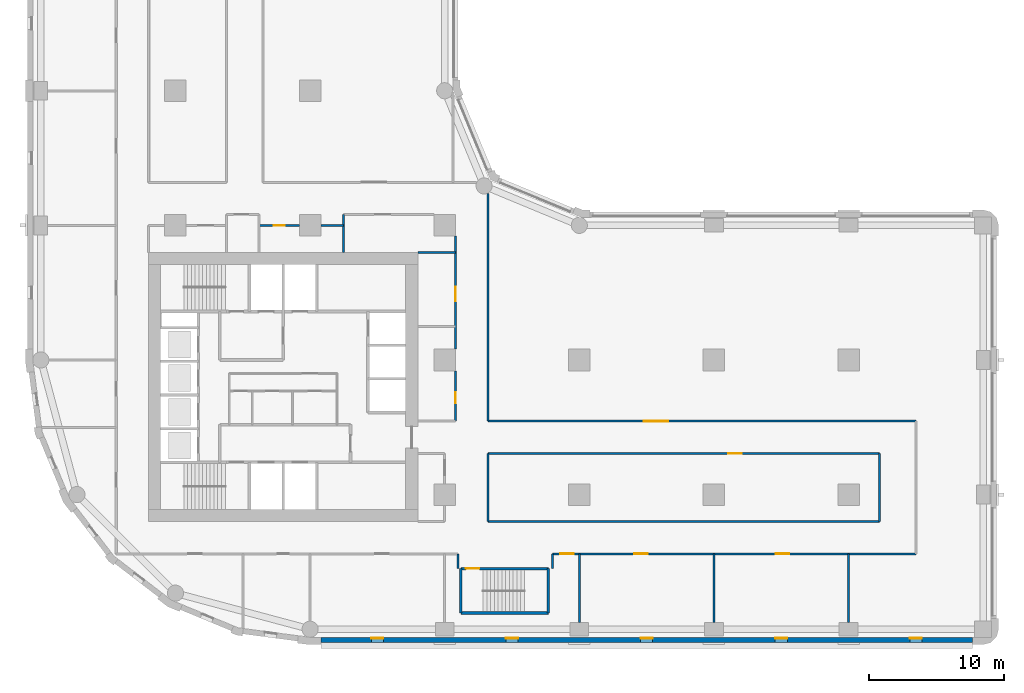
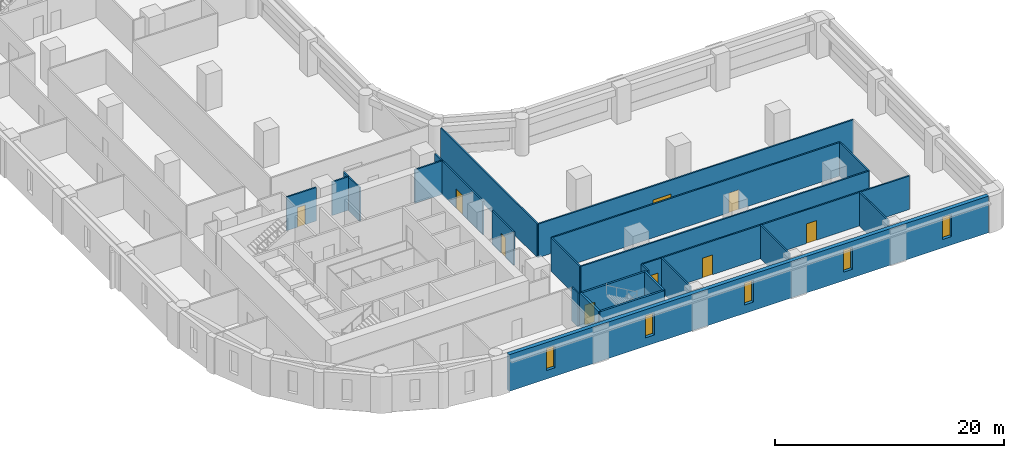
# One storey, part 4 of 10: 23 walls, 9 doors, 5 windows, 14 openings.
"""IFC4 building model written with IfcOpenShell, lengths in metres."""

from ifc_helpers import new_model, si_unit, direction, frame, frame_2d, origin, place, context, subcontext, project, spatial, rectangle, extrude, material, layer, layer_set, type_object, element, fill, save


model = new_model("IFC4")

# Units and contexts
model_context = context("Model", 3, precision=1e-05, world=origin(), true_north=direction((0.0, 1.0)))
body_context = subcontext(model_context, "Body", "Model", "MODEL_VIEW")
ifc_project = project(units=[si_unit("LENGTHUNIT", "METRE"), si_unit("AREAUNIT", "SQUARE_METRE"), si_unit("VOLUMEUNIT", "CUBIC_METRE"), si_unit("PLANEANGLEUNIT", "RADIAN"), si_unit("MASSUNIT", "GRAM", prefix="KILO")], contexts=[model_context])

# Site, building, storey
site_placement = place(None, origin())
site = spatial("IfcSite", under=ifc_project, at=site_placement, CompositionType="ELEMENT")
building_placement = place(site_placement, origin())
building = spatial("IfcBuilding", under=site, at=building_placement, Name="Qaws Garden Tower", CompositionType="ELEMENT")
storey_placement = place(building_placement, frame((0.0, 0.0, 54.89990234375)))
storey = spatial("IfcBuildingStorey", under=building, at=storey_placement, Name="L13", CompositionType="ELEMENT", Elevation=54.89990234375)

# Wall, openings, windows
ifc_material_1 = material(Name="Clay facing brick masonry", Category="masonry")
ifc_layer_1 = layer(ifc_material_1, 0.39990234375)
ifc_layer_set_1 = layer_set([ifc_layer_1], Name="Clay facing brick masonry")
wall_type_1 = type_object("IfcWallType", Name="Brick infill wall 400", PredefinedType="SOLIDWALL", material=ifc_layer_set_1)
wall_1_placement = place(storey_placement, frame((20.800048828125, -0.800048828125, 0.0), z_axis=(0.0, 0.0, 1.0), x_axis=(1.0, 0.0, 0.0)))
wall_1 = element("IfcWall", 1, at=wall_1_placement, inside=storey, type_object=wall_type_1, Name="E-L13-infill-00", PredefinedType="SOLIDWALL", context=body_context, shape_type="SweptSolid", body=[
    extrude(rectangle(XDim=48.39990234375, YDim=0.39990234375, at=frame_2d((24.199951171875, 0.0))), origin(), (0.0, 0.0, 1.0), 3.900146484375),
])
opening_1_placement = place(wall_1_placement, frame((3.75, 0.0, 0.89990234375)))
opening_1 = element("IfcOpeningElement", 2, at=opening_1_placement, cuts=wall_1, Name="Opening W09", PredefinedType="OPENING", context=body_context, shape_type="SweptSolid", body=[
    extrude(rectangle(XDim=0.89990234375, YDim=2.35009765625, at=frame_2d((0.449951171875, 1.175048828125))), frame((0.0, 0.2099609375, 0.0), z_axis=(0.0, -1.0, 0.0), x_axis=(1.0, 0.0, 0.0)), (0.0, 0.0, 1.0), 0.419921875),
])
opening_2_placement = place(wall_1_placement, frame((13.75, 0.0, 0.89990234375)))
opening_2 = element("IfcOpeningElement", 3, at=opening_2_placement, cuts=wall_1, Name="Opening W09", PredefinedType="OPENING", context=body_context, shape_type="SweptSolid", body=[
    extrude(rectangle(XDim=0.89990234375, YDim=2.35009765625, at=frame_2d((0.449951171875, 1.175048828125))), frame((0.0, 0.2099609375, 0.0), z_axis=(0.0, -1.0, 0.0), x_axis=(1.0, 0.0, 0.0)), (0.0, 0.0, 1.0), 0.419921875),
])
opening_3_placement = place(wall_1_placement, frame((23.75, 0.0, 0.89990234375)))
opening_3 = element("IfcOpeningElement", 4, at=opening_3_placement, cuts=wall_1, Name="Opening W09", PredefinedType="OPENING", context=body_context, shape_type="SweptSolid", body=[
    extrude(rectangle(XDim=0.89990234375, YDim=2.35009765625, at=frame_2d((0.449951171875, 1.175048828125))), frame((0.0, 0.2099609375, 0.0), z_axis=(0.0, -1.0, 0.0), x_axis=(1.0, 0.0, 0.0)), (0.0, 0.0, 1.0), 0.419921875),
])
opening_4_placement = place(wall_1_placement, frame((33.75, 0.0, 0.89990234375)))
opening_4 = element("IfcOpeningElement", 5, at=opening_4_placement, cuts=wall_1, Name="Opening W09", PredefinedType="OPENING", context=body_context, shape_type="SweptSolid", body=[
    extrude(rectangle(XDim=0.89990234375, YDim=2.35009765625, at=frame_2d((0.449951171875, 1.175048828125))), frame((0.0, 0.2099609375, 0.0), z_axis=(0.0, -1.0, 0.0), x_axis=(1.0, 0.0, 0.0)), (0.0, 0.0, 1.0), 0.419921875),
])
opening_5_placement = place(wall_1_placement, frame((43.75, 0.0, 0.89990234375)))
opening_5 = element("IfcOpeningElement", 6, at=opening_5_placement, cuts=wall_1, Name="Opening W09", PredefinedType="OPENING", context=body_context, shape_type="SweptSolid", body=[
    extrude(rectangle(XDim=0.89990234375, YDim=2.35009765625, at=frame_2d((0.449951171875, 1.175048828125))), frame((0.0, 0.2099609375, 0.0), z_axis=(0.0, -1.0, 0.0), x_axis=(1.0, 0.0, 0.0)), (0.0, 0.0, 1.0), 0.419921875),
])
ifc_material_2 = material(Name="Aluminium framed window, clear glazing", Category="aluminium")
window_type = type_object("IfcWindowType", Name="Slit window 900 x 2350", PartitioningType="SINGLE_PANEL", PredefinedType="WINDOW", material=ifc_material_2)
window_1_placement = place(opening_1_placement, origin())
window_1 = element("IfcWindow", 7, at=window_1_placement, inside=storey, type_object=window_type, Name="E-L13-window-00-0", OverallHeight=2.35009765625, OverallWidth=0.89990234375, PartitioningType="SINGLE_PANEL", PredefinedType="WINDOW", context=body_context, shape_type="SweptSolid", body=[
    extrude(rectangle(XDim=0.89990234375, YDim=2.35009765625, at=frame_2d((0.449951171875, 1.175048828125))), frame((0.0, 0.159912109375, 0.0), z_axis=(0.0, -1.0, 0.0), x_axis=(1.0, 0.0, 0.0)), (0.0, 0.0, 1.0), 0.06005859375),
])
fill(opening_1, window_1)
window_2_placement = place(opening_2_placement, origin())
window_2 = element("IfcWindow", 8, at=window_2_placement, inside=storey, type_object=window_type, Name="E-L13-window-01-0", OverallHeight=2.35009765625, OverallWidth=0.89990234375, PartitioningType="SINGLE_PANEL", PredefinedType="WINDOW", context=body_context, shape_type="SweptSolid", body=[
    extrude(rectangle(XDim=0.89990234375, YDim=2.35009765625, at=frame_2d((0.449951171875, 1.175048828125))), frame((0.0, 0.159912109375, 0.0), z_axis=(0.0, -1.0, 0.0), x_axis=(1.0, 0.0, 0.0)), (0.0, 0.0, 1.0), 0.06005859375),
])
fill(opening_2, window_2)
window_3_placement = place(opening_3_placement, origin())
window_3 = element("IfcWindow", 9, at=window_3_placement, inside=storey, type_object=window_type, Name="E-L13-window-02-0", OverallHeight=2.35009765625, OverallWidth=0.89990234375, PartitioningType="SINGLE_PANEL", PredefinedType="WINDOW", context=body_context, shape_type="SweptSolid", body=[
    extrude(rectangle(XDim=0.89990234375, YDim=2.35009765625, at=frame_2d((0.449951171875, 1.175048828125))), frame((0.0, 0.159912109375, 0.0), z_axis=(0.0, -1.0, 0.0), x_axis=(1.0, 0.0, 0.0)), (0.0, 0.0, 1.0), 0.06005859375),
])
fill(opening_3, window_3)
window_4_placement = place(opening_4_placement, origin())
window_4 = element("IfcWindow", 10, at=window_4_placement, inside=storey, type_object=window_type, Name="E-L13-window-03-0", OverallHeight=2.35009765625, OverallWidth=0.89990234375, PartitioningType="SINGLE_PANEL", PredefinedType="WINDOW", context=body_context, shape_type="SweptSolid", body=[
    extrude(rectangle(XDim=0.89990234375, YDim=2.35009765625, at=frame_2d((0.449951171875, 1.175048828125))), frame((0.0, 0.159912109375, 0.0), z_axis=(0.0, -1.0, 0.0), x_axis=(1.0, 0.0, 0.0)), (0.0, 0.0, 1.0), 0.06005859375),
])
fill(opening_4, window_4)
window_5_placement = place(opening_5_placement, origin())
window_5 = element("IfcWindow", 11, at=window_5_placement, inside=storey, type_object=window_type, Name="E-L13-window-04-0", OverallHeight=2.35009765625, OverallWidth=0.89990234375, PartitioningType="SINGLE_PANEL", PredefinedType="WINDOW", context=body_context, shape_type="SweptSolid", body=[
    extrude(rectangle(XDim=0.89990234375, YDim=2.35009765625, at=frame_2d((0.449951171875, 1.175048828125))), frame((0.0, 0.159912109375, 0.0), z_axis=(0.0, -1.0, 0.0), x_axis=(1.0, 0.0, 0.0)), (0.0, 0.0, 1.0), 0.06005859375),
])
fill(opening_5, window_5)

# Wall
ifc_material_3 = material(Name="Concrete C80", Category="concrete")
ifc_layer_2 = layer(ifc_material_3, 0.199951171875)
ifc_layer_set_2 = layer_set([ifc_layer_2], Name="Concrete C80")
wall_type_2 = type_object("IfcWallType", Name="Core shaft wall 200 C80", PredefinedType="SHEAR", material=ifc_layer_set_2)
wall_2_placement = place(storey_placement, frame((31.199951171875, 1.199951171875, 0.0), z_axis=(0.0, 0.0, 1.0), x_axis=(1.0, 0.0, 0.0)))
element("IfcWall", 12, at=wall_2_placement, inside=storey, type_object=wall_type_2, Name="Shaft wall", PredefinedType="SHEAR", context=body_context, shape_type="SweptSolid", body=[
    extrude(rectangle(XDim=6.5, YDim=0.199951171875, at=frame_2d((3.25, 0.0))), origin(), (0.0, 0.0, 1.0), 3.580078125),
])

# Wall, opening, door
wall_3_placement = place(storey_placement, frame((31.199951171875, 4.5, 0.0), z_axis=(0.0, 0.0, 1.0), x_axis=(1.0, 0.0, 0.0)))
wall_3 = element("IfcWall", 13, at=wall_3_placement, inside=storey, type_object=wall_type_2, Name="Shaft wall", PredefinedType="SHEAR", context=body_context, shape_type="SweptSolid", body=[
    extrude(rectangle(XDim=6.5, YDim=0.199951171875, at=frame_2d((3.25, 0.0))), origin(), (0.0, 0.0, 1.0), 3.580078125),
])
opening_6_placement = place(wall_3_placement, frame((0.375, 0.0, 0.0)))
opening_6 = element("IfcOpeningElement", 14, at=opening_6_placement, cuts=wall_3, Name="Opening SD12", PredefinedType="OPENING", context=body_context, shape_type="SweptSolid", body=[
    extrude(rectangle(XDim=1.0, YDim=2.10009765625, at=frame_2d((0.5, 1.050048828125))), frame((0.0, 0.10986328125, 0.0), z_axis=(0.0, -1.0, 0.0), x_axis=(1.0, 0.0, 0.0)), (0.0, 0.0, 1.0), 0.219970703125),
])
ifc_material_4 = material(Name="Steel S235", Category="steel")
door_type_1 = type_object("IfcDoorType", Name="Stair door 1000x2100", OperationType="SINGLE_SWING_RIGHT", PredefinedType="DOOR", material=ifc_material_4)
door_1_placement = place(opening_6_placement, frame((1.0, 0.0, 0.0), z_axis=(0.0, 0.0, 1.0), x_axis=(-1.0, 0.0, 0.0)))
door_1 = element("IfcDoor", 15, at=door_1_placement, inside=storey, type_object=door_type_1, Name="Stair 5 door", OperationType="SINGLE_SWING_RIGHT", OverallHeight=2.10009765625, OverallWidth=1.0, PredefinedType="DOOR", context=body_context, shape_type="SweptSolid", body=[
    extrude(rectangle(XDim=1.0, YDim=2.10009765625, at=frame_2d((0.5, 1.050048828125))), frame((0.0, 0.02490234375, 0.0), z_axis=(0.0, -1.0, 0.0), x_axis=(1.0, 0.0, 0.0)), (0.0, 0.0, 1.0), 0.050048828125),
])
fill(opening_6, door_1)

# Walls
for number, where, z_axis, x_axis, name in (
    (16, (31.199951171875, 1.199951171875, 0.0), (0.0, 0.0, 1.0), (0.0, 1.0, 0.0), "Shaft wall"),
    (17, (37.699951171875, 1.199951171875, 0.0), (0.0, 0.0, 1.0), (0.0, 1.0, 0.0), "Shaft wall"),
):
    element("IfcWall", number, at=place(storey_placement, frame(where, z_axis=z_axis, x_axis=x_axis)), inside=storey, type_object=wall_type_2, Name=name, PredefinedType="SHEAR", context=body_context, shape_type="SweptSolid", body=[
        extrude(rectangle(XDim=3.300048828125, YDim=0.199951171875, at=frame_2d((1.64990234375, 0.0))), origin(), (0.0, 0.0, 1.0), 3.580078125),
    ])
ifc_material_5 = material(Name="Gypsum board partition")
ifc_layer_3 = layer(ifc_material_5, 0.14990234375)
ifc_layer_set_3 = layer_set([ifc_layer_3], Name="Gypsum board partition")
wall_type_3 = type_object("IfcWallType", Name="PARTITION 150 EI 60", PredefinedType="PARTITIONING", material=ifc_layer_set_3)
wall_4_placement = place(storey_placement, frame((22.5, 28.0, 0.0), z_axis=(0.0, 0.0, 1.0), x_axis=(0.0, 1.0, 0.0)))
element("IfcWall", 18, at=wall_4_placement, inside=storey, type_object=wall_type_3, Name="O-L13-wall-012", PredefinedType="PARTITIONING", context=body_context, shape_type="SweptSolid", body=[
    extrude(rectangle(XDim=2.800048828125, YDim=0.14990234375, at=frame_2d((1.39990234375, 0.0))), origin(), (0.0, 0.0, 1.0), 3.580078125),
])

# Wall, opening, door
wall_5_placement = place(storey_placement, frame((30.800048828125, 15.449951171875, 0.0), z_axis=(0.0, 0.0, 1.0), x_axis=(0.0, 1.0, 0.0)))
wall_5 = element("IfcWall", 19, at=wall_5_placement, inside=storey, type_object=wall_type_3, Name="O-L13-wall-018", PredefinedType="PARTITIONING", context=body_context, shape_type="SweptSolid", body=[
    extrude(rectangle(XDim=3.75, YDim=0.14990234375, at=frame_2d((1.875, 0.0))), origin(), (0.0, 0.0, 1.0), 3.580078125),
])
opening_7_placement = place(wall_5_placement, frame((1.35009765625, 0.0, 0.0)))
opening_7 = element("IfcOpeningElement", 20, at=opening_7_placement, cuts=wall_5, Name="Opening A408", PredefinedType="OPENING", context=body_context, shape_type="SweptSolid", body=[
    extrude(rectangle(XDim=0.800048828125, YDim=2.10009765625, at=frame_2d((0.39990234375, 1.050048828125))), frame((0.0, 0.0849609375, 0.0), z_axis=(0.0, -1.0, 0.0), x_axis=(1.0, 0.0, 0.0)), (0.0, 0.0, 1.0), 0.169921875),
])
ifc_material_6 = material(Name="Timber door leaf", Category="wood")
door_type_2 = type_object("IfcDoorType", Name="STORE DOOR 800 X 2100", OperationType="SINGLE_SWING_LEFT", PredefinedType="DOOR", material=ifc_material_6)
door_2_placement = place(opening_7_placement, origin())
door_2 = element("IfcDoor", 21, at=door_2_placement, inside=storey, type_object=door_type_2, Name="O-L13-door-008", OperationType="SINGLE_SWING_LEFT", OverallHeight=2.10009765625, OverallWidth=0.800048828125, PredefinedType="DOOR", context=body_context, shape_type="SweptSolid", body=[
    extrude(rectangle(XDim=0.800048828125, YDim=2.10009765625, at=frame_2d((0.39990234375, 1.050048828125))), frame((0.0, 0.02490234375, 0.0), z_axis=(0.0, -1.0, 0.0), x_axis=(1.0, 0.0, 0.0)), (0.0, 0.0, 1.0), 0.050048828125),
])
fill(opening_7, door_2)

wall_6_placement = place(storey_placement, frame((30.800048828125, 20.800048828125, 0.0), z_axis=(0.0, 0.0, 1.0), x_axis=(0.0, 1.0, 0.0)))
wall_6 = element("IfcWall", 22, at=wall_6_placement, inside=storey, type_object=wall_type_3, Name="O-L13-wall-019", PredefinedType="PARTITIONING", context=body_context, shape_type="SweptSolid", body=[
    extrude(rectangle(XDim=8.39990234375, YDim=0.14990234375, at=frame_2d((4.199951171875, 0.0))), origin(), (0.0, 0.0, 1.0), 3.580078125),
])
opening_8_placement = place(wall_6_placement, frame((3.550048828125, 0.0, 0.0)))
opening_8 = element("IfcOpeningElement", 23, at=opening_8_placement, cuts=wall_6, Name="Opening A409", PredefinedType="OPENING", context=body_context, shape_type="SweptSolid", body=[
    extrude(rectangle(XDim=1.10009765625, YDim=2.10009765625, at=frame_2d((0.550048828125, 1.050048828125))), frame((0.0, 0.0849609375, 0.0), z_axis=(0.0, -1.0, 0.0), x_axis=(1.0, 0.0, 0.0)), (0.0, 0.0, 1.0), 0.169921875),
])
ifc_material_7 = material(Name="Timber door leaf", Category="wood")
door_type_3 = type_object("IfcDoorType", Name="SERVICE ROOM DOOR 1100 X 2100", OperationType="SINGLE_SWING_LEFT", PredefinedType="DOOR", material=ifc_material_7)
door_3_placement = place(opening_8_placement, origin())
door_3 = element("IfcDoor", 24, at=door_3_placement, inside=storey, type_object=door_type_3, Name="O-L13-door-009", OperationType="SINGLE_SWING_RIGHT", OverallHeight=2.10009765625, OverallWidth=1.10009765625, PredefinedType="DOOR", context=body_context, shape_type="SweptSolid", body=[
    extrude(rectangle(XDim=1.10009765625, YDim=2.10009765625, at=frame_2d((0.550048828125, 1.050048828125))), frame((0.0, 0.02490234375, 0.0), z_axis=(0.0, -1.0, 0.0), x_axis=(1.0, 0.0, 0.0)), (0.0, 0.0, 1.0), 0.050048828125),
])
fill(opening_8, door_3)

# Walls
wall_7_placement = place(storey_placement, frame((31.0, 4.5, 0.0), z_axis=(0.0, 0.0, 1.0), x_axis=(0.0, 1.0, 0.0)))
element("IfcWall", 25, at=wall_7_placement, inside=storey, type_object=wall_type_3, Name="O-L13-wall-020", PredefinedType="PARTITIONING", context=body_context, shape_type="SweptSolid", body=[
    extrude(rectangle(XDim=1.10009765625, YDim=0.14990234375, at=frame_2d((0.550048828125, 0.0))), origin(), (0.0, 0.0, 1.0), 3.580078125),
])
wall_8_placement = place(storey_placement, frame((33.199951171875, 8.0, 0.0), z_axis=(0.0, 0.0, 1.0), x_axis=(0.0, 1.0, 0.0)))
element("IfcWall", 26, at=wall_8_placement, inside=storey, type_object=wall_type_3, Name="O-L13-wall-021", PredefinedType="PARTITIONING", context=body_context, shape_type="SweptSolid", body=[
    extrude(rectangle(XDim=5.050048828125, YDim=0.14990234375, at=frame_2d((2.52490234375, 0.0))), origin(), (0.0, 0.0, 1.0), 3.580078125),
])
wall_9_placement = place(storey_placement, frame((33.199951171875, 15.449951171875, 0.0), z_axis=(0.0, 0.0, 1.0), x_axis=(0.0, 1.0, 0.0)))
element("IfcWall", 27, at=wall_9_placement, inside=storey, type_object=wall_type_3, Name="O-L13-wall-022", PredefinedType="PARTITIONING", context=body_context, shape_type="SweptSolid", body=[
    extrude(rectangle(XDim=16.912109375, YDim=0.14990234375, at=frame_2d((8.4560546875, 0.0))), origin(), (0.0, 0.0, 1.0), 3.580078125),
])
wall_10_placement = place(storey_placement, frame((38.0, 4.5, 0.0), z_axis=(0.0, 0.0, 1.0), x_axis=(0.0, 1.0, 0.0)))
element("IfcWall", 28, at=wall_10_placement, inside=storey, type_object=wall_type_3, Name="O-L13-wall-023", PredefinedType="PARTITIONING", context=body_context, shape_type="SweptSolid", body=[
    extrude(rectangle(XDim=1.10009765625, YDim=0.14990234375, at=frame_2d((0.550048828125, 0.0))), origin(), (0.0, 0.0, 1.0), 3.580078125),
])
for number, where, z_axis, x_axis, name in (
    (29, (40.0, 0.5, 0.0), (0.0, 0.0, 1.0), (0.0, 1.0, 0.0), "O-L13-wall-024"),
    (30, (50.0, 0.5, 0.0), (0.0, 0.0, 1.0), (0.0, 1.0, 0.0), "O-L13-wall-025"),
    (31, (60.0, 0.5, 0.0), (0.0, 0.0, 1.0), (0.0, 1.0, 0.0), "O-L13-wall-026"),
):
    element("IfcWall", number, at=place(storey_placement, frame(where, z_axis=z_axis, x_axis=x_axis)), inside=storey, type_object=wall_type_3, Name=name, PredefinedType="PARTITIONING", context=body_context, shape_type="SweptSolid", body=[
        extrude(rectangle(XDim=5.10009765625, YDim=0.14990234375, at=frame_2d((2.550048828125, 0.0))), origin(), (0.0, 0.0, 1.0), 3.580078125),
    ])
wall_11_placement = place(storey_placement, frame((62.300048828125, 8.0, 0.0), z_axis=(0.0, 0.0, 1.0), x_axis=(0.0, 1.0, 0.0)))
element("IfcWall", 32, at=wall_11_placement, inside=storey, type_object=wall_type_3, Name="O-L13-wall-027", PredefinedType="PARTITIONING", context=body_context, shape_type="SweptSolid", body=[
    extrude(rectangle(XDim=5.050048828125, YDim=0.14990234375, at=frame_2d((2.52490234375, 0.0))), origin(), (0.0, 0.0, 1.0), 3.580078125),
])

# Wall, openings, doors
wall_12_placement = place(storey_placement, frame((38.0, 5.60009765625, 0.0), z_axis=(0.0, 0.0, 1.0), x_axis=(1.0, 0.0, 0.0)))
wall_12 = element("IfcWall", 33, at=wall_12_placement, inside=storey, type_object=wall_type_3, Name="O-L13-wall-030", PredefinedType="PARTITIONING", context=body_context, shape_type="SweptSolid", body=[
    extrude(rectangle(XDim=27.0, YDim=0.14990234375, at=frame_2d((13.5, 0.0))), origin(), (0.0, 0.0, 1.0), 3.580078125),
])
opening_9_placement = place(wall_12_placement, frame((6.10009765625, 0.0, 0.0)))
opening_9 = element("IfcOpeningElement", 34, at=opening_9_placement, cuts=wall_12, Name="Opening A403", PredefinedType="OPENING", context=body_context, shape_type="SweptSolid", body=[
    extrude(rectangle(XDim=1.0, YDim=2.10009765625, at=frame_2d((0.5, 1.050048828125))), frame((0.0, 0.0849609375, 0.0), z_axis=(0.0, -1.0, 0.0), x_axis=(1.0, 0.0, 0.0)), (0.0, 0.0, 1.0), 0.169921875),
])
opening_10_placement = place(wall_12_placement, frame((16.60009765625, 0.0, 0.0)))
opening_10 = element("IfcOpeningElement", 35, at=opening_10_placement, cuts=wall_12, Name="Opening A404", PredefinedType="OPENING", context=body_context, shape_type="SweptSolid", body=[
    extrude(rectangle(XDim=1.0, YDim=2.10009765625, at=frame_2d((0.5, 1.050048828125))), frame((0.0, 0.0849609375, 0.0), z_axis=(0.0, -1.0, 0.0), x_axis=(1.0, 0.0, 0.0)), (0.0, 0.0, 1.0), 0.169921875),
])
opening_11_placement = place(wall_12_placement, frame((0.60009765625, 0.0, 0.0)))
opening_11 = element("IfcOpeningElement", 36, at=opening_11_placement, cuts=wall_12, Name="Opening A424", PredefinedType="OPENING", context=body_context, shape_type="SweptSolid", body=[
    extrude(rectangle(XDim=1.0, YDim=2.10009765625, at=frame_2d((0.5, 1.050048828125))), frame((0.0, 0.0849609375, 0.0), z_axis=(0.0, -1.0, 0.0), x_axis=(1.0, 0.0, 0.0)), (0.0, 0.0, 1.0), 0.169921875),
])
ifc_material_8 = material(Name="Timber door leaf", Category="wood")
door_type_4 = type_object("IfcDoorType", Name="TENANCY ENTRANCE DOOR 1000 X 2100", OperationType="SINGLE_SWING_LEFT", PredefinedType="DOOR", material=ifc_material_8)
door_4_placement = place(opening_9_placement, frame((1.0, 0.0, 0.0), z_axis=(0.0, 0.0, 1.0), x_axis=(-1.0, 0.0, 0.0)))
door_4 = element("IfcDoor", 37, at=door_4_placement, inside=storey, type_object=door_type_4, Name="O-L13-door-003", OperationType="SINGLE_SWING_RIGHT", OverallHeight=2.10009765625, OverallWidth=1.0, PredefinedType="DOOR", context=body_context, shape_type="SweptSolid", body=[
    extrude(rectangle(XDim=1.0, YDim=2.10009765625, at=frame_2d((0.5, 1.050048828125))), frame((0.0, 0.02490234375, 0.0), z_axis=(0.0, -1.0, 0.0), x_axis=(1.0, 0.0, 0.0)), (0.0, 0.0, 1.0), 0.050048828125),
])
fill(opening_9, door_4)
door_5_placement = place(opening_10_placement, frame((1.0, 0.0, 0.0), z_axis=(0.0, 0.0, 1.0), x_axis=(-1.0, 0.0, 0.0)))
door_5 = element("IfcDoor", 38, at=door_5_placement, inside=storey, type_object=door_type_4, Name="O-L13-door-004", OperationType="SINGLE_SWING_RIGHT", OverallHeight=2.10009765625, OverallWidth=1.0, PredefinedType="DOOR", context=body_context, shape_type="SweptSolid", body=[
    extrude(rectangle(XDim=1.0, YDim=2.10009765625, at=frame_2d((0.5, 1.050048828125))), frame((0.0, 0.02490234375, 0.0), z_axis=(0.0, -1.0, 0.0), x_axis=(1.0, 0.0, 0.0)), (0.0, 0.0, 1.0), 0.050048828125),
])
fill(opening_10, door_5)
door_6_placement = place(opening_11_placement, frame((1.0, 0.0, 0.0), z_axis=(0.0, 0.0, 1.0), x_axis=(-1.0, 0.0, 0.0)))
door_6 = element("IfcDoor", 39, at=door_6_placement, inside=storey, type_object=door_type_4, Name="O-L13-door-024", OperationType="SINGLE_SWING_LEFT", OverallHeight=2.10009765625, OverallWidth=1.0, PredefinedType="DOOR", context=body_context, shape_type="SweptSolid", body=[
    extrude(rectangle(XDim=1.0, YDim=2.10009765625, at=frame_2d((0.5, 1.050048828125))), frame((0.0, 0.02490234375, 0.0), z_axis=(0.0, -1.0, 0.0), x_axis=(1.0, 0.0, 0.0)), (0.0, 0.0, 1.0), 0.050048828125),
])
fill(opening_11, door_6)

# Wall
wall_13_placement = place(storey_placement, frame((33.199951171875, 8.0, 0.0), z_axis=(0.0, 0.0, 1.0), x_axis=(1.0, 0.0, 0.0)))
element("IfcWall", 40, at=wall_13_placement, inside=storey, type_object=wall_type_3, Name="O-L13-wall-032", PredefinedType="PARTITIONING", context=body_context, shape_type="SweptSolid", body=[
    extrude(rectangle(XDim=29.10009765625, YDim=0.14990234375, at=frame_2d((14.550048828125, 0.0))), origin(), (0.0, 0.0, 1.0), 3.580078125),
])

# Wall, opening, door
wall_14_placement = place(storey_placement, frame((33.199951171875, 13.050048828125, 0.0), z_axis=(0.0, 0.0, 1.0), x_axis=(1.0, 0.0, 0.0)))
wall_14 = element("IfcWall", 41, at=wall_14_placement, inside=storey, type_object=wall_type_3, Name="O-L13-wall-034", PredefinedType="PARTITIONING", context=body_context, shape_type="SweptSolid", body=[
    extrude(rectangle(XDim=29.10009765625, YDim=0.14990234375, at=frame_2d((14.550048828125, 0.0))), origin(), (0.0, 0.0, 1.0), 3.580078125),
])
opening_12_placement = place(wall_14_placement, frame((17.85009765625, 0.0, 0.0)))
opening_12 = element("IfcOpeningElement", 42, at=opening_12_placement, cuts=wall_14, Name="Opening A405", PredefinedType="OPENING", context=body_context, shape_type="SweptSolid", body=[
    extrude(rectangle(XDim=1.0, YDim=2.10009765625, at=frame_2d((0.5, 1.050048828125))), frame((0.0, 0.0849609375, 0.0), z_axis=(0.0, -1.0, 0.0), x_axis=(1.0, 0.0, 0.0)), (0.0, 0.0, 1.0), 0.169921875),
])
door_7_placement = place(opening_12_placement, frame((1.0, 0.0, 0.0), z_axis=(0.0, 0.0, 1.0), x_axis=(-1.0, 0.0, 0.0)))
door_7 = element("IfcDoor", 43, at=door_7_placement, inside=storey, type_object=door_type_4, Name="O-L13-door-005", OperationType="SINGLE_SWING_RIGHT", OverallHeight=2.10009765625, OverallWidth=1.0, PredefinedType="DOOR", context=body_context, shape_type="SweptSolid", body=[
    extrude(rectangle(XDim=1.0, YDim=2.10009765625, at=frame_2d((0.5, 1.050048828125))), frame((0.0, 0.02490234375, 0.0), z_axis=(0.0, -1.0, 0.0), x_axis=(1.0, 0.0, 0.0)), (0.0, 0.0, 1.0), 0.050048828125),
])
fill(opening_12, door_7)

wall_15_placement = place(storey_placement, frame((33.199951171875, 15.449951171875, 0.0), z_axis=(0.0, 0.0, 1.0), x_axis=(1.0, 0.0, 0.0)))
wall_15 = element("IfcWall", 44, at=wall_15_placement, inside=storey, type_object=wall_type_3, Name="O-L13-wall-037", PredefinedType="PARTITIONING", context=body_context, shape_type="SweptSolid", body=[
    extrude(rectangle(XDim=31.800048828125, YDim=0.14990234375, at=frame_2d((15.89990234375, 0.0))), origin(), (0.0, 0.0, 1.0), 3.580078125),
])
opening_13_placement = place(wall_15_placement, frame((11.60009765625, 0.0, 0.0)))
opening_13 = element("IfcOpeningElement", 45, at=opening_13_placement, cuts=wall_15, Name="Opening A406", PredefinedType="OPENING", context=body_context, shape_type="SweptSolid", body=[
    extrude(rectangle(XDim=1.800048828125, YDim=2.10009765625, at=frame_2d((0.89990234375, 1.050048828125))), frame((0.0, 0.0849609375, 0.0), z_axis=(0.0, -1.0, 0.0), x_axis=(1.0, 0.0, 0.0)), (0.0, 0.0, 1.0), 0.169921875),
])
ifc_material_9 = material(Name="Timber door leaf", Category="wood")
door_type_5 = type_object("IfcDoorType", Name="DOUBLE DOOR 1800 X 2100", OperationType="DOUBLE_DOOR_SINGLE_SWING", PredefinedType="DOOR", material=ifc_material_9)
door_8_placement = place(opening_13_placement, origin())
door_8 = element("IfcDoor", 46, at=door_8_placement, inside=storey, type_object=door_type_5, Name="O-L13-door-006", OperationType="DOUBLE_DOOR_SINGLE_SWING", OverallHeight=2.10009765625, OverallWidth=1.800048828125, PredefinedType="DOOR", context=body_context, shape_type="SweptSolid", body=[
    extrude(rectangle(XDim=1.800048828125, YDim=2.10009765625, at=frame_2d((0.89990234375, 1.050048828125))), frame((0.0, 0.02490234375, 0.0), z_axis=(0.0, -1.0, 0.0), x_axis=(1.0, 0.0, 0.0)), (0.0, 0.0, 1.0), 0.050048828125),
])
fill(opening_13, door_8)

# Wall
wall_16_placement = place(storey_placement, frame((28.0, 28.0, 0.0), z_axis=(0.0, 0.0, 1.0), x_axis=(1.0, 0.0, 0.0)))
element("IfcWall", 47, at=wall_16_placement, inside=storey, type_object=wall_type_3, Name="O-L13-wall-040", PredefinedType="PARTITIONING", context=body_context, shape_type="SweptSolid", body=[
    extrude(rectangle(XDim=2.800048828125, YDim=0.14990234375, at=frame_2d((1.39990234375, 0.0))), origin(), (0.0, 0.0, 1.0), 3.580078125),
])

# Wall, opening, door
wall_17_placement = place(storey_placement, frame((16.199951171875, 30.0, 0.0), z_axis=(0.0, 0.0, 1.0), x_axis=(1.0, 0.0, 0.0)))
wall_17 = element("IfcWall", 48, at=wall_17_placement, inside=storey, type_object=wall_type_3, Name="O-L13-wall-044", PredefinedType="PARTITIONING", context=body_context, shape_type="SweptSolid", body=[
    extrude(rectangle(XDim=3.0, YDim=0.14990234375, at=frame_2d((1.5, 0.0))), origin(), (0.0, 0.0, 1.0), 3.580078125),
])
opening_14_placement = place(wall_17_placement, frame((1.10009765625, 0.0, 0.0)))
opening_14 = element("IfcOpeningElement", 49, at=opening_14_placement, cuts=wall_17, Name="Opening A411", PredefinedType="OPENING", context=body_context, shape_type="SweptSolid", body=[
    extrude(rectangle(XDim=0.800048828125, YDim=2.10009765625, at=frame_2d((0.39990234375, 1.050048828125))), frame((0.0, 0.0849609375, 0.0), z_axis=(0.0, -1.0, 0.0), x_axis=(1.0, 0.0, 0.0)), (0.0, 0.0, 1.0), 0.169921875),
])
door_9_placement = place(opening_14_placement, frame((0.800048828125, 0.0, 0.0), z_axis=(0.0, 0.0, 1.0), x_axis=(-1.0, 0.0, 0.0)))
door_9 = element("IfcDoor", 50, at=door_9_placement, inside=storey, type_object=door_type_2, Name="O-L13-door-011", OperationType="SINGLE_SWING_RIGHT", OverallHeight=2.10009765625, OverallWidth=0.800048828125, PredefinedType="DOOR", context=body_context, shape_type="SweptSolid", body=[
    extrude(rectangle(XDim=0.800048828125, YDim=2.10009765625, at=frame_2d((0.39990234375, 1.050048828125))), frame((0.0, 0.02490234375, 0.0), z_axis=(0.0, -1.0, 0.0), x_axis=(1.0, 0.0, 0.0)), (0.0, 0.0, 1.0), 0.050048828125),
])
fill(opening_14, door_9)

# Wall
wall_18_placement = place(storey_placement, frame((20.800048828125, 30.0, 0.0), z_axis=(0.0, 0.0, 1.0), x_axis=(1.0, 0.0, 0.0)))
element("IfcWall", 51, at=wall_18_placement, inside=storey, type_object=wall_type_3, Name="O-L13-wall-045", PredefinedType="PARTITIONING", context=body_context, shape_type="SweptSolid", body=[
    extrude(rectangle(XDim=1.699951171875, YDim=0.14990234375, at=frame_2d((0.85009765625, 0.0))), origin(), (0.0, 0.0, 1.0), 3.580078125),
])

save(model, "model.ifc")
